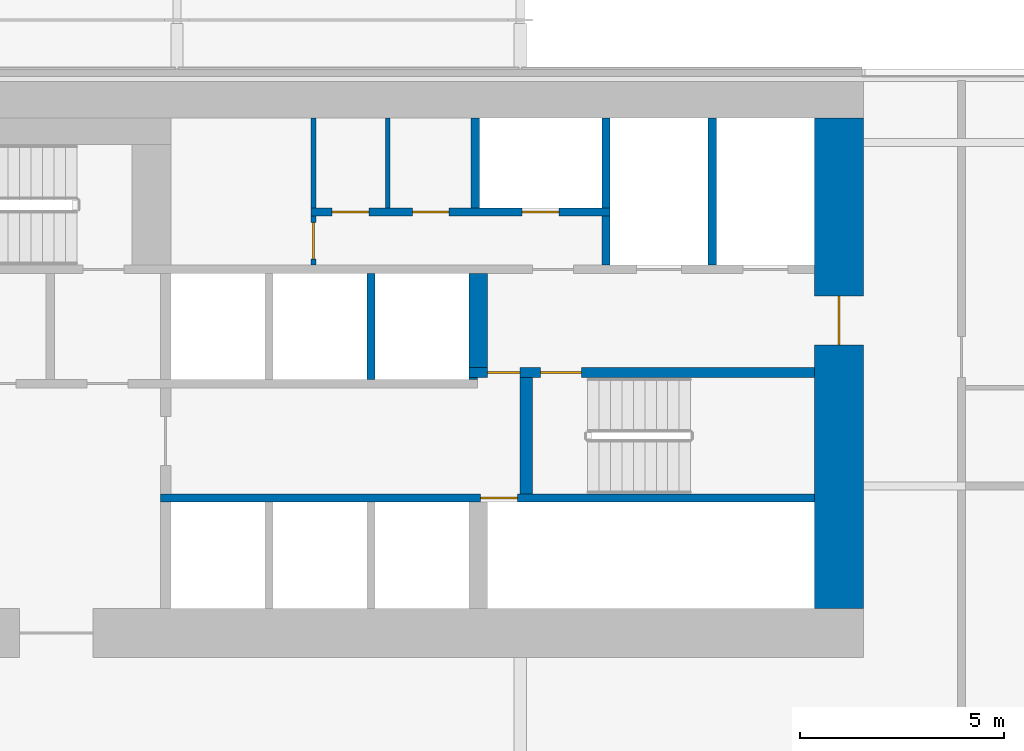
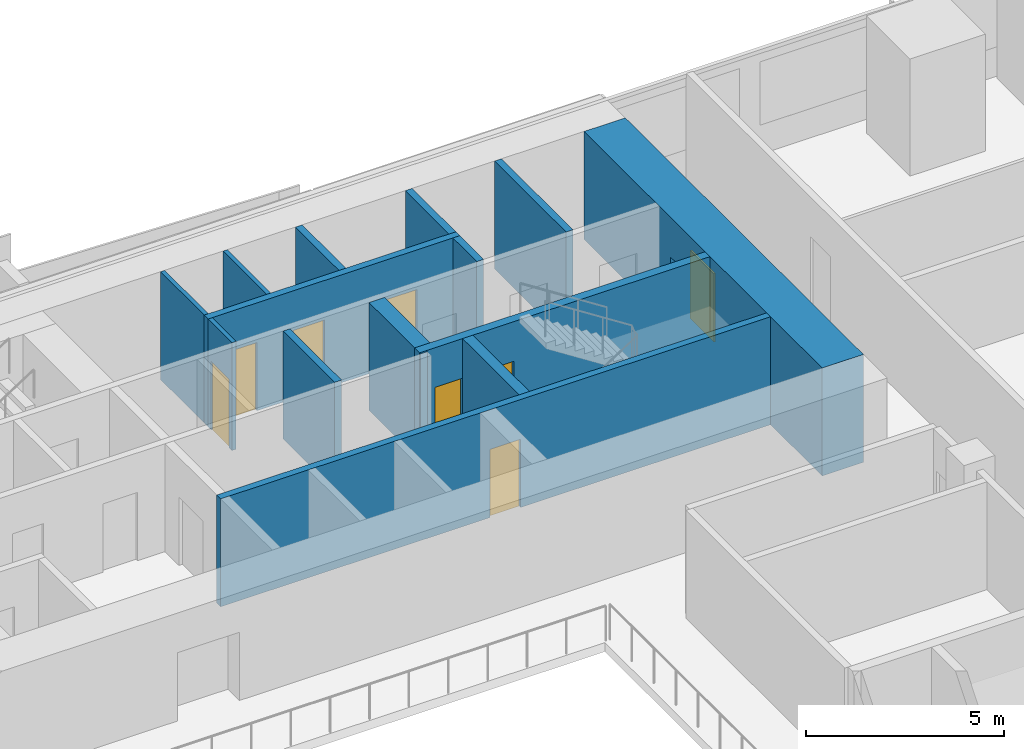
# One storey, part 22 of 26: 15 walls, 8 doors, 8 openings.
"""IFC4 building model written with IfcOpenShell, lengths in metres."""

from ifc_helpers import new_model, si_unit, direction, frame, frame_2d, origin, place, context, subcontext, project, spatial, rectangle, extrude, material, layer, layer_set, type_object, element, fill, save


model = new_model("IFC4")

# Units and contexts
model_context = context("Model", 3, precision=1e-05, world=origin(), true_north=direction((0.0, 1.0)))
body_context = subcontext(model_context, "Body", "Model", "MODEL_VIEW")
ifc_project = project(units=[si_unit("LENGTHUNIT", "METRE"), si_unit("AREAUNIT", "SQUARE_METRE"), si_unit("VOLUMEUNIT", "CUBIC_METRE"), si_unit("PLANEANGLEUNIT", "RADIAN"), si_unit("MASSUNIT", "GRAM", prefix="KILO")], contexts=[model_context])

# Site, building, storey
site_placement = place(None, origin())
site = spatial("IfcSite", under=ifc_project, at=site_placement, CompositionType="ELEMENT")
building_placement = place(site_placement, origin())
building = spatial("IfcBuilding", under=site, at=building_placement, Name="Saffron Gate Tower", CompositionType="ELEMENT")
storey_placement = place(building_placement, frame((0.0, 0.0, 62.39990234375)))
storey = spatial("IfcBuildingStorey", under=building, at=storey_placement, Name="L14", CompositionType="ELEMENT", Elevation=62.39990234375)

# Wall, opening, door
ifc_material_1 = material(Name="Concrete C70", Category="concrete")
ifc_layer_1 = layer(ifc_material_1, 1.199951171875)
ifc_layer_set_1 = layer_set([ifc_layer_1], Name="CW1 RC core wall 1200 C70")
wall_type_1 = type_object("IfcWallType", Name="CW1 RC core wall 1200 C70", PredefinedType="SOLIDWALL", material=ifc_layer_set_1)
wall_1_placement = place(storey_placement, frame((108.0, 62.39990234375, 0.0), z_axis=(0.0, 0.0, 1.0), x_axis=(0.0, 1.0, 0.0)))
wall_1 = element("IfcWall", 1, at=wall_1_placement, inside=storey, type_object=wall_type_1, Name="Wall CW1-L14-4", PredefinedType="SOLIDWALL", context=body_context, shape_type="SweptSolid", body=[
    extrude(rectangle(XDim=12.0, YDim=1.199951171875, at=frame_2d((6.0, 0.0))), origin(), (0.0, 0.0, 1.0), 3.320068359375),
])
opening_1_placement = place(wall_1_placement, frame((6.449951171875, 0.0, 0.0)))
opening_1 = element("IfcOpeningElement", 2, at=opening_1_placement, cuts=wall_1, Name="Opening CR-08", PredefinedType="OPENING", context=body_context, shape_type="SweptSolid", body=[
    extrude(rectangle(XDim=1.199951171875, YDim=2.10009765625, at=frame_2d((0.60009765625, 1.050048828125))), frame((0.0, 0.60986328125, 0.0), z_axis=(0.0, -1.0, 0.0), x_axis=(1.0, 0.0, 0.0)), (0.0, 0.0, 1.0), 1.219970703125),
])
ifc_material_2 = material(Name="Steel fire door set", Category="steel")
door_type_1 = type_object("IfcDoorType", Name="CD7 Core entrance door 1200x2100 EI 120", OperationType="NOTDEFINED", PredefinedType="DOOR", material=ifc_material_2)
door_1_placement = place(opening_1_placement, origin())
door_1 = element("IfcDoor", 3, at=door_1_placement, inside=storey, type_object=door_type_1, Name="DOOR CR-08", OperationType="SINGLE_SWING_RIGHT", OverallHeight=2.10009765625, OverallWidth=1.199951171875, PredefinedType="DOOR", context=body_context, shape_type="SweptSolid", body=[
    extrude(rectangle(XDim=1.199951171875, YDim=2.10009765625, at=frame_2d((0.60009765625, 1.050048828125))), frame((0.0, 0.02490234375, 0.0), z_axis=(0.0, -1.0, 0.0), x_axis=(1.0, 0.0, 0.0)), (0.0, 0.0, 1.0), 0.050048828125),
])
fill(opening_1, door_1)

# Wall, openings, doors
ifc_layer_2 = layer(ifc_material_1, 0.25)
ifc_layer_set_2 = layer_set([ifc_layer_2], Name="CW2 RC core wall 250 C70")
wall_type_2 = type_object("IfcWallType", Name="CW2 RC core wall 250 C70", PredefinedType="SOLIDWALL", material=ifc_layer_set_2)
wall_2_placement = place(storey_placement, frame((98.949951171875, 68.175048828125, 0.0), z_axis=(0.0, 0.0, 1.0), x_axis=(1.0, 0.0, 0.0)))
wall_2 = element("IfcWall", 4, at=wall_2_placement, inside=storey, type_object=wall_type_2, Name="Wall CW2-L14-31", PredefinedType="SOLIDWALL", context=body_context, shape_type="SweptSolid", body=[
    extrude(rectangle(XDim=8.449951171875, YDim=0.25, at=frame_2d((4.22509765625, 0.0))), origin(), (0.0, 0.0, 1.0), 3.320068359375),
])
opening_2_placement = place(wall_2_placement, frame((0.449951171875, 0.0, 0.0)))
opening_2 = element("IfcOpeningElement", 5, at=opening_2_placement, cuts=wall_2, Name="Opening CR-05", PredefinedType="OPENING", context=body_context, shape_type="SweptSolid", body=[
    extrude(rectangle(XDim=0.800048828125, YDim=2.10009765625, at=frame_2d((0.39990234375, 1.050048828125))), frame((0.0, 0.135009765625, 0.0), z_axis=(0.0, -1.0, 0.0), x_axis=(1.0, 0.0, 0.0)), (0.0, 0.0, 1.0), 0.27001953125),
])
opening_3_placement = place(wall_2_placement, frame((1.75, 0.0, 0.0)))
opening_3 = element("IfcOpeningElement", 6, at=opening_3_placement, cuts=wall_2, Name="Opening CR-16", PredefinedType="OPENING", context=body_context, shape_type="SweptSolid", body=[
    extrude(rectangle(XDim=1.0, YDim=2.10009765625, at=frame_2d((0.5, 1.050048828125))), frame((0.0, 0.135009765625, 0.0), z_axis=(0.0, -1.0, 0.0), x_axis=(1.0, 0.0, 0.0)), (0.0, 0.0, 1.0), 0.27001953125),
])
door_type_2 = type_object("IfcDoorType", Name="CD5 Stair door 1000x2100 EI 120", OperationType="NOTDEFINED", PredefinedType="DOOR", material=ifc_material_2)
door_2_placement = place(opening_3_placement, origin())
door_2 = element("IfcDoor", 7, at=door_2_placement, inside=storey, type_object=door_type_2, Name="DOOR CR-16", OperationType="SINGLE_SWING_RIGHT", OverallHeight=2.10009765625, OverallWidth=1.0, PredefinedType="DOOR", context=body_context, shape_type="SweptSolid", body=[
    extrude(rectangle(XDim=1.0, YDim=2.10009765625, at=frame_2d((0.5, 1.050048828125))), frame((0.0, 0.02490234375, 0.0), z_axis=(0.0, -1.0, 0.0), x_axis=(1.0, 0.0, 0.0)), (0.0, 0.0, 1.0), 0.050048828125),
])
fill(opening_3, door_2)
door_type_3 = type_object("IfcDoorType", Name="CD6 Lobby door 800x2100 EI 120", OperationType="NOTDEFINED", PredefinedType="DOOR", material=ifc_material_2)
door_3_placement = place(opening_2_placement, origin())
door_3 = element("IfcDoor", 8, at=door_3_placement, inside=storey, type_object=door_type_3, Name="DOOR CR-05", OperationType="SINGLE_SWING_LEFT", OverallHeight=2.10009765625, OverallWidth=0.800048828125, PredefinedType="DOOR", context=body_context, shape_type="SweptSolid", body=[
    extrude(rectangle(XDim=0.800048828125, YDim=2.10009765625, at=frame_2d((0.39990234375, 1.050048828125))), frame((0.0, 0.02490234375, 0.0), z_axis=(0.0, -1.0, 0.0), x_axis=(1.0, 0.0, 0.0)), (0.0, 0.0, 1.0), 0.050048828125),
])
fill(opening_2, door_3)

# Wall, opening, door
ifc_layer_3 = layer(ifc_material_1, 0.199951171875)
ifc_layer_set_3 = layer_set([ifc_layer_3], Name="CW3 RC core wall 200 C70")
wall_type_3 = type_object("IfcWallType", Name="CW3 RC core wall 200 C70", PredefinedType="SOLIDWALL", material=ifc_layer_set_3)
wall_3_placement = place(storey_placement, frame((91.39990234375, 65.10009765625, 0.0), z_axis=(0.0, 0.0, 1.0), x_axis=(1.0, 0.0, 0.0)))
wall_3 = element("IfcWall", 9, at=wall_3_placement, inside=storey, type_object=wall_type_3, Name="Wall CW3-L14-15", PredefinedType="SOLIDWALL", context=body_context, shape_type="SweptSolid", body=[
    extrude(rectangle(XDim=16.0, YDim=0.199951171875, at=frame_2d((8.0, 0.0))), origin(), (0.0, 0.0, 1.0), 3.320068359375),
])
opening_4_placement = place(wall_3_placement, frame((7.830078125, 0.0, 0.0)))
opening_4 = element("IfcOpeningElement", 10, at=opening_4_placement, cuts=wall_3, Name="Opening CR-48", PredefinedType="OPENING", context=body_context, shape_type="SweptSolid", body=[
    extrude(rectangle(XDim=0.89990234375, YDim=2.10009765625, at=frame_2d((0.449951171875, 1.050048828125))), frame((0.0, 0.10986328125, 0.0), z_axis=(0.0, -1.0, 0.0), x_axis=(1.0, 0.0, 0.0)), (0.0, 0.0, 1.0), 0.219970703125),
])
door_type_4 = type_object("IfcDoorType", Name="CD2 Riser door 900x2100 EI 60", OperationType="NOTDEFINED", PredefinedType="DOOR", material=ifc_material_2)
door_4_placement = place(opening_4_placement, origin())
door_4 = element("IfcDoor", 11, at=door_4_placement, inside=storey, type_object=door_type_4, Name="DOOR CR-48", OperationType="SINGLE_SWING_RIGHT", OverallHeight=2.10009765625, OverallWidth=0.89990234375, PredefinedType="DOOR", context=body_context, shape_type="SweptSolid", body=[
    extrude(rectangle(XDim=0.89990234375, YDim=2.10009765625, at=frame_2d((0.449951171875, 1.050048828125))), frame((0.0, 0.02490234375, 0.0), z_axis=(0.0, -1.0, 0.0), x_axis=(1.0, 0.0, 0.0)), (0.0, 0.0, 1.0), 0.050048828125),
])
fill(opening_4, door_4)

# Walls
wall_4_placement = place(storey_placement, frame((96.550048828125, 68.0, 0.0), z_axis=(0.0, 0.0, 1.0), x_axis=(0.0, 1.0, 0.0)))
element("IfcWall", 12, at=wall_4_placement, inside=storey, type_object=wall_type_3, Name="Wall CW3-L14-28", PredefinedType="SOLIDWALL", context=body_context, shape_type="SweptSolid", body=[
    extrude(rectangle(XDim=2.60009765625, YDim=0.199951171875, at=frame_2d((1.300048828125, 0.0))), origin(), (0.0, 0.0, 1.0), 3.320068359375),
])
wall_5_placement = place(storey_placement, frame((102.300048828125, 70.800048828125, 0.0), z_axis=(0.0, 0.0, 1.0), x_axis=(0.0, 1.0, 0.0)))
element("IfcWall", 13, at=wall_5_placement, inside=storey, type_object=wall_type_3, Name="Wall CW3-L14-41", PredefinedType="SOLIDWALL", context=body_context, shape_type="SweptSolid", body=[
    extrude(rectangle(XDim=1.199951171875, YDim=0.199951171875, at=frame_2d((0.60009765625, 0.0))), origin(), (0.0, 0.0, 1.0), 3.320068359375),
])
wall_6_placement = place(storey_placement, frame((104.89990234375, 70.800048828125, 0.0), z_axis=(0.0, 0.0, 1.0), x_axis=(0.0, 1.0, 0.0)))
element("IfcWall", 14, at=wall_6_placement, inside=storey, type_object=wall_type_3, Name="Wall CW3-L14-42", PredefinedType="SOLIDWALL", context=body_context, shape_type="SweptSolid", body=[
    extrude(rectangle(XDim=3.599853515625, YDim=0.199951171875, at=frame_2d((1.7998046875, 0.0))), origin(), (0.0, 0.0, 1.0), 3.320068359375),
])

# Wall, openings, doors
wall_7_placement = place(storey_placement, frame((95.080078125, 72.10009765625, 0.0), z_axis=(0.0, 0.0, 1.0), x_axis=(1.0, 0.0, 0.0)))
wall_7 = element("IfcWall", 15, at=wall_7_placement, inside=storey, type_object=wall_type_3, Name="Wall CW3-L14-44", PredefinedType="SOLIDWALL", context=body_context, shape_type="SweptSolid", body=[
    extrude(rectangle(XDim=7.31982421875, YDim=0.199951171875, at=frame_2d((3.659912109375, 0.0))), origin(), (0.0, 0.0, 1.0), 3.320068359375),
])
opening_5_placement = place(wall_7_placement, frame((0.52001953125, 0.0, 0.0)))
opening_5 = element("IfcOpeningElement", 16, at=opening_5_placement, cuts=wall_7, Name="Opening CR-50", PredefinedType="OPENING", context=body_context, shape_type="SweptSolid", body=[
    extrude(rectangle(XDim=0.89990234375, YDim=2.10009765625, at=frame_2d((0.449951171875, 1.050048828125))), frame((0.0, 0.10986328125, 0.0), z_axis=(0.0, -1.0, 0.0), x_axis=(1.0, 0.0, 0.0)), (0.0, 0.0, 1.0), 0.219970703125),
])
opening_6_placement = place(wall_7_placement, frame((2.47998046875, 0.0, 0.0)))
opening_6 = element("IfcOpeningElement", 17, at=opening_6_placement, cuts=wall_7, Name="Opening CR-53", PredefinedType="OPENING", context=body_context, shape_type="SweptSolid", body=[
    extrude(rectangle(XDim=0.89990234375, YDim=2.10009765625, at=frame_2d((0.449951171875, 1.050048828125))), frame((0.0, 0.10986328125, 0.0), z_axis=(0.0, -1.0, 0.0), x_axis=(1.0, 0.0, 0.0)), (0.0, 0.0, 1.0), 0.219970703125),
])
opening_7_placement = place(wall_7_placement, frame((5.169921875, 0.0, 0.0)))
opening_7 = element("IfcOpeningElement", 18, at=opening_7_placement, cuts=wall_7, Name="Opening CR-70", PredefinedType="OPENING", context=body_context, shape_type="SweptSolid", body=[
    extrude(rectangle(XDim=0.89990234375, YDim=2.10009765625, at=frame_2d((0.449951171875, 1.050048828125))), frame((0.0, 0.10986328125, 0.0), z_axis=(0.0, -1.0, 0.0), x_axis=(1.0, 0.0, 0.0)), (0.0, 0.0, 1.0), 0.219970703125),
])
door_5_placement = place(opening_7_placement, origin())
door_5 = element("IfcDoor", 19, at=door_5_placement, inside=storey, type_object=door_type_4, Name="DOOR CR-70", OperationType="SINGLE_SWING_LEFT", OverallHeight=2.10009765625, OverallWidth=0.89990234375, PredefinedType="DOOR", context=body_context, shape_type="SweptSolid", body=[
    extrude(rectangle(XDim=0.89990234375, YDim=2.10009765625, at=frame_2d((0.449951171875, 1.050048828125))), frame((0.0, 0.02490234375, 0.0), z_axis=(0.0, -1.0, 0.0), x_axis=(1.0, 0.0, 0.0)), (0.0, 0.0, 1.0), 0.050048828125),
])
fill(opening_7, door_5)
door_type_5 = type_object("IfcDoorType", Name="CD9 Room door 900x2100 EI 60", OperationType="NOTDEFINED", PredefinedType="DOOR", material=ifc_material_2)
door_6_placement = place(opening_5_placement, origin())
door_6 = element("IfcDoor", 20, at=door_6_placement, inside=storey, type_object=door_type_5, Name="DOOR CR-50", OperationType="SINGLE_SWING_LEFT", OverallHeight=2.10009765625, OverallWidth=0.89990234375, PredefinedType="DOOR", context=body_context, shape_type="SweptSolid", body=[
    extrude(rectangle(XDim=0.89990234375, YDim=2.10009765625, at=frame_2d((0.449951171875, 1.050048828125))), frame((0.0, 0.02490234375, 0.0), z_axis=(0.0, -1.0, 0.0), x_axis=(1.0, 0.0, 0.0)), (0.0, 0.0, 1.0), 0.050048828125),
])
fill(opening_5, door_6)
door_7_placement = place(opening_6_placement, origin())
door_7 = element("IfcDoor", 21, at=door_7_placement, inside=storey, type_object=door_type_5, Name="DOOR CR-53", OperationType="SINGLE_SWING_LEFT", OverallHeight=2.10009765625, OverallWidth=0.89990234375, PredefinedType="DOOR", context=body_context, shape_type="SweptSolid", body=[
    extrude(rectangle(XDim=0.89990234375, YDim=2.10009765625, at=frame_2d((0.449951171875, 1.050048828125))), frame((0.0, 0.02490234375, 0.0), z_axis=(0.0, -1.0, 0.0), x_axis=(1.0, 0.0, 0.0)), (0.0, 0.0, 1.0), 0.050048828125),
])
fill(opening_6, door_7)

# Walls
for number, where, z_axis, x_axis, name in (
    (22, (99.10009765625, 72.199951171875, 0.0), (0.0, 0.0, 1.0), (0.0, 1.0, 0.0), "Wall CW3-L14-51"),
    (23, (102.300048828125, 72.199951171875, 0.0), (0.0, 0.0, 1.0), (0.0, 1.0, 0.0), "Wall CW3-L14-52"),
):
    element("IfcWall", number, at=place(storey_placement, frame(where, z_axis=z_axis, x_axis=x_axis)), inside=storey, type_object=wall_type_3, Name=name, PredefinedType="SOLIDWALL", context=body_context, shape_type="SweptSolid", body=[
        extrude(rectangle(XDim=2.199951171875, YDim=0.199951171875, at=frame_2d((1.10009765625, 0.0))), origin(), (0.0, 0.0, 1.0), 3.320068359375),
    ])
ifc_layer_4 = layer(ifc_material_1, 0.449951171875)
ifc_layer_set_4 = layer_set([ifc_layer_4], Name="CW4 RC core wall 450 C70")
wall_type_4 = type_object("IfcWallType", Name="CW4 RC core wall 450 C70", PredefinedType="SOLIDWALL", material=ifc_layer_set_4)
wall_8_placement = place(storey_placement, frame((99.175048828125, 68.300048828125, 0.0), z_axis=(0.0, 0.0, 1.0), x_axis=(0.0, 1.0, 0.0)))
element("IfcWall", 24, at=wall_8_placement, inside=storey, type_object=wall_type_4, Name="Wall CW4-L14-33", PredefinedType="SOLIDWALL", context=body_context, shape_type="SweptSolid", body=[
    extrude(rectangle(XDim=2.300048828125, YDim=0.449951171875, at=frame_2d((1.14990234375, 0.0))), origin(), (0.0, 0.0, 1.0), 3.320068359375),
])
ifc_layer_5 = layer(ifc_material_1, 0.300048828125)
ifc_layer_set_5 = layer_set([ifc_layer_5], Name="CW5 RC core wall 300 C70")
wall_type_5 = type_object("IfcWallType", Name="CW5 RC core wall 300 C70", PredefinedType="SOLIDWALL", material=ifc_layer_set_5)
wall_9_placement = place(storey_placement, frame((100.35009765625, 65.199951171875, 0.0), z_axis=(0.0, 0.0, 1.0), x_axis=(0.0, 1.0, 0.0)))
element("IfcWall", 25, at=wall_9_placement, inside=storey, type_object=wall_type_5, Name="Wall CW5-L14-19", PredefinedType="SOLIDWALL", context=body_context, shape_type="SweptSolid", body=[
    extrude(rectangle(XDim=2.85009765625, YDim=0.300048828125, at=frame_2d((1.425048828125, 0.0))), origin(), (0.0, 0.0, 1.0), 3.320068359375),
])
ifc_layer_6 = layer(ifc_material_1, 0.050048828125)
ifc_layer_set_6 = layer_set([ifc_layer_6], Name="CW6 RC core wall 50 C70")
wall_type_6 = type_object("IfcWallType", Name="CW6 RC core wall 50 C70", PredefinedType="SOLIDWALL", material=ifc_layer_set_6)
wall_10_placement = place(storey_placement, frame((98.949951171875, 68.02490234375, 0.0), z_axis=(0.0, 0.0, 1.0), x_axis=(1.0, 0.0, 0.0)))
element("IfcWall", 26, at=wall_10_placement, inside=storey, type_object=wall_type_6, Name="Wall CW6-L14-29", PredefinedType="SOLIDWALL", context=body_context, shape_type="SweptSolid", body=[
    extrude(rectangle(XDim=0.199951171875, YDim=0.050048828125, at=frame_2d((0.10009765625, 0.0))), origin(), (0.0, 0.0, 1.0), 3.320068359375),
])

# Wall, opening, door
ifc_material_3 = material(Name="Gypsum board partition on steel studs", Category="steel")
ifc_layer_7 = layer(ifc_material_3, 0.1201171875)
ifc_layer_set_7 = layer_set([ifc_layer_7], Name="CW8 Core partition 120")
wall_type_7 = type_object("IfcWallType", Name="CW8 Core partition 120", PredefinedType="PARTITIONING", material=ifc_layer_set_7)
wall_11_placement = place(storey_placement, frame((95.139892578125, 70.800048828125, 0.0), z_axis=(0.0, 0.0, 1.0), x_axis=(0.0, 1.0, 0.0)))
wall_11 = element("IfcWall", 27, at=wall_11_placement, inside=storey, type_object=wall_type_7, Name="Wall CW8-L14-40", PredefinedType="PARTITIONING", context=body_context, shape_type="SweptSolid", body=[
    extrude(rectangle(XDim=1.199951171875, YDim=0.1201171875, at=frame_2d((0.60009765625, 0.0))), origin(), (0.0, 0.0, 1.0), 3.320068359375),
])
opening_8_placement = place(wall_11_placement, frame((0.14990234375, 0.0, 0.0)))
opening_8 = element("IfcOpeningElement", 28, at=opening_8_placement, cuts=wall_11, Name="Opening CR-54", PredefinedType="OPENING", context=body_context, shape_type="SweptSolid", body=[
    extrude(rectangle(XDim=0.89990234375, YDim=2.10009765625, at=frame_2d((0.449951171875, 1.050048828125))), frame((0.0, 0.070068359375, 0.0), z_axis=(0.0, -1.0, 0.0), x_axis=(1.0, 0.0, 0.0)), (0.0, 0.0, 1.0), 0.14013671875),
])
door_8_placement = place(opening_8_placement, origin())
door_8 = element("IfcDoor", 29, at=door_8_placement, inside=storey, type_object=door_type_5, Name="DOOR CR-54", OperationType="SINGLE_SWING_LEFT", OverallHeight=2.10009765625, OverallWidth=0.89990234375, PredefinedType="DOOR", context=body_context, shape_type="SweptSolid", body=[
    extrude(rectangle(XDim=0.89990234375, YDim=2.10009765625, at=frame_2d((0.449951171875, 1.050048828125))), frame((0.0, 0.02490234375, 0.0), z_axis=(0.0, -1.0, 0.0), x_axis=(1.0, 0.0, 0.0)), (0.0, 0.0, 1.0), 0.050048828125),
])
fill(opening_8, door_8)

# Walls
for number, where, z_axis, x_axis, name in (
    (30, (95.139892578125, 72.199951171875, 0.0), (0.0, 0.0, 1.0), (0.0, 1.0, 0.0), "Wall CW8-L14-49"),
    (31, (96.9599609375, 72.199951171875, 0.0), (0.0, 0.0, 1.0), (0.0, 1.0, 0.0), "Wall CW8-L14-50"),
):
    element("IfcWall", number, at=place(storey_placement, frame(where, z_axis=z_axis, x_axis=x_axis)), inside=storey, type_object=wall_type_7, Name=name, PredefinedType="PARTITIONING", context=body_context, shape_type="SweptSolid", body=[
        extrude(rectangle(XDim=2.199951171875, YDim=0.1201171875, at=frame_2d((1.10009765625, 0.0))), origin(), (0.0, 0.0, 1.0), 3.320068359375),
    ])

save(model, "model.ifc")
